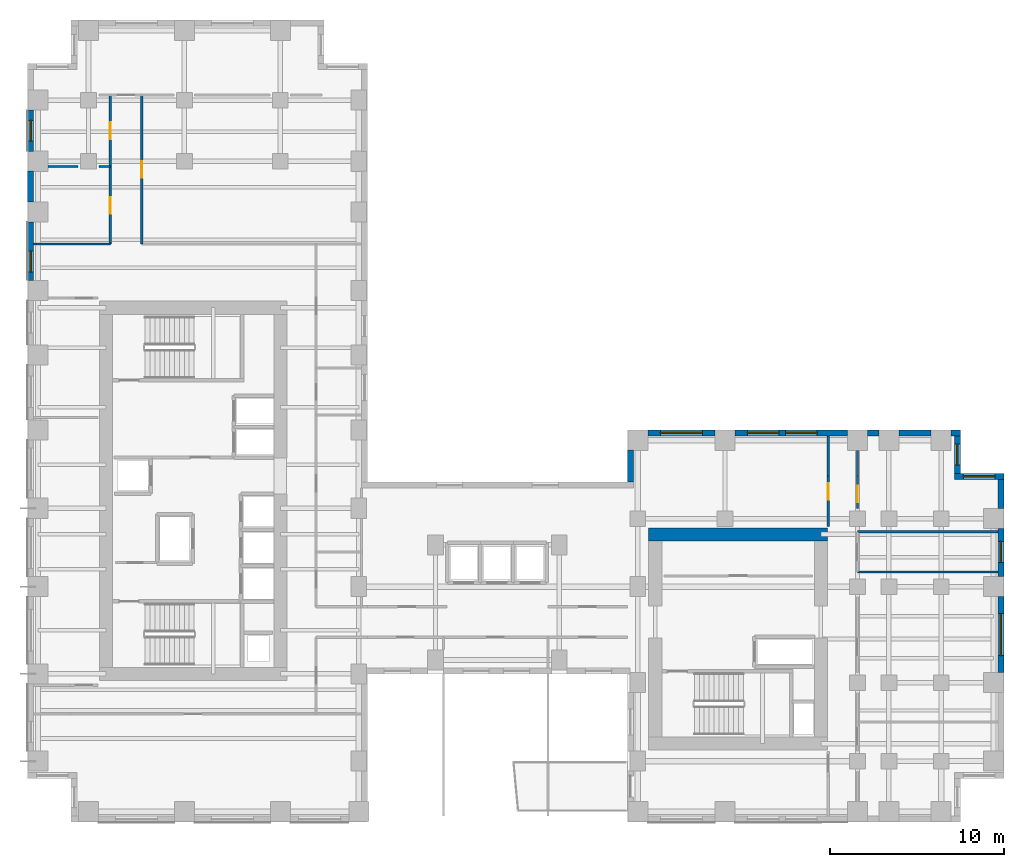
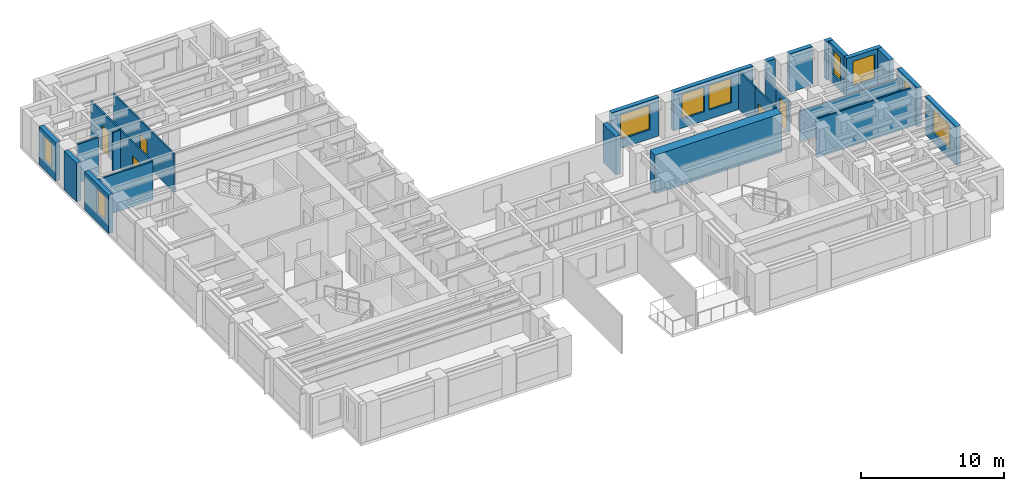
# One storey, part 8 of 12: 27 walls, 9 windows, 5 doors, 14 openings.
"""IFC4 building model written with IfcOpenShell, lengths in metres."""

import ifcopenshell
import ifcopenshell.guid

model = None  # the IFC model being written
_history = None  # IfcOwnerHistory: only IFC2X3 demands one
_inside = {}  # id of a spatial element -> (the spatial element, [elements in it])
_under = {}  # id of a project, library or spatial element -> (it, [spatial elements below it])
_declared = {}  # id of a project -> (the project, [libraries it declares])
_typed = {}  # id of a type object -> (the type object, [elements of that type])
_made_of = {}  # id of a material, layer set ... -> (it, [elements and type objects made of it])


def new_model(schema):
    """Start an empty IFC model of exactly this schema.

    Asked for "IFC4X3", IfcOpenShell would pick the latest addendum, in which some entities
    have other attributes; the version numbers below select the first issue.
    IFC2X3 requires an IfcOwnerHistory on every rooted entity: one is made here for all.
    """
    global model, _history
    if schema == "IFC4X3":
        model = ifcopenshell.file(schema_version=(4, 3, 0, 0))
    else:
        model = ifcopenshell.file(schema=schema)
    _inside.clear()
    _under.clear()
    _declared.clear()
    _typed.clear()
    _made_of.clear()
    _history = None
    if model.schema == "IFC2X3":
        org = make("IfcOrganization", Name="unknown")
        user = make(
            "IfcPersonAndOrganization",
            ThePerson=make("IfcPerson", FamilyName="unknown"),
            TheOrganization=org,
        )
        app = make(
            "IfcApplication",
            ApplicationDeveloper=org,
            Version="unknown",
            ApplicationFullName="unknown",
            ApplicationIdentifier="unknown",
        )
        _history = make(
            "IfcOwnerHistory",
            OwningUser=user,
            OwningApplication=app,
            ChangeAction="ADDED",
            CreationDate=0,
        )
    return model


def make(cls, **values):
    """One entity of the class cls with the attributes given. An attribute that is None is left unset."""
    return model.create_entity(
        cls, **{name: value for name, value in values.items() if value is not None}
    )


def rooted(cls, **values):
    """An entity with a GlobalId (a new one), such as an element, a storey or a relation."""
    return make(cls, GlobalId=ifcopenshell.guid.new(), OwnerHistory=_history, **values)


def si_unit(unit_type, name, prefix=None):
    """IfcSIUnit, for example si_unit("LENGTHUNIT", "METRE", prefix="MILLI")."""
    return make("IfcSIUnit", UnitType=unit_type, Prefix=prefix, Name=name)


def assignment(units):
    """IfcUnitAssignment: the units of a project."""
    return None if units is None else make("IfcUnitAssignment", Units=units)


def point(xyz):
    """IfcCartesianPoint."""
    return None if xyz is None else make("IfcCartesianPoint", Coordinates=xyz)


def direction(xyz):
    """IfcDirection."""
    return None if xyz is None else make("IfcDirection", DirectionRatios=xyz)


def frame(location, z_axis=None, x_axis=None):
    """IfcAxis2Placement3D, a coordinate frame: its origin and axes. An axis left out is left unset."""
    return make(
        "IfcAxis2Placement3D",
        Location=point(location),
        Axis=direction(z_axis),
        RefDirection=direction(x_axis),
    )


def frame_2d(location, x_axis=None):
    """IfcAxis2Placement2D, a coordinate frame in the plane: its origin and x axis."""
    return make(
        "IfcAxis2Placement2D", Location=point(location), RefDirection=direction(x_axis)
    )


def origin():
    """The frame at (0, 0, 0) with its axes left unset."""
    return frame((0.0, 0.0, 0.0))


def place(relative_to, where):
    """IfcLocalPlacement: puts the frame where relative to a parent placement (None: the world)."""
    return make(
        "IfcLocalPlacement", PlacementRelTo=relative_to, RelativePlacement=where
    )


def context(
    kind, dimensions, precision=None, world=None, true_north=None, identifier=None
):
    """IfcGeometricRepresentationContext, for example the 3D "Model" context."""
    return make(
        "IfcGeometricRepresentationContext",
        ContextIdentifier=identifier,
        ContextType=kind,
        CoordinateSpaceDimension=dimensions,
        Precision=precision,
        WorldCoordinateSystem=world,
        TrueNorth=true_north,
    )


def subcontext(parent, identifier, kind, view, scale=None):
    """IfcGeometricRepresentationSubContext, for example "Body" below "Model"."""
    return make(
        "IfcGeometricRepresentationSubContext",
        ContextIdentifier=identifier,
        ContextType=kind,
        ParentContext=parent,
        TargetScale=scale,
        TargetView=view,
    )


def project(units=None, contexts=None):
    """IfcProject with its units and contexts."""
    return rooted(
        "IfcProject",
        Name="project",
        RepresentationContexts=contexts,
        UnitsInContext=assignment(units),
    )


def spatial(cls, under=None, at=None, **own):
    """A site, building, storey or space (cls), placed at a placement, below another one or the project."""
    s = rooted(cls, ObjectPlacement=at, **own)
    if under is not None:
        _under.setdefault(under.id(), (under, []))[1].append(s)
    return s


def profile(cls, at=None, kind="AREA", **sizes):
    """A parametric profile (cls). Its sizes go by their IFC names, for example OverallWidth=200.0."""
    return make(cls, ProfileType=kind, Position=at, **sizes)


def rectangle(**sizes):
    """IfcRectangleProfileDef."""
    return profile("IfcRectangleProfileDef", **sizes)


def extrude(swept, where, along, depth):
    """IfcExtrudedAreaSolid: the profile swept, set in the frame where, extruded along a direction by depth."""
    return make(
        "IfcExtrudedAreaSolid",
        SweptArea=swept,
        Position=where,
        ExtrudedDirection=direction(along),
        Depth=depth,
    )


def shape(context_of_items, identifier, shape_type, items):
    """IfcShapeRepresentation: the items that make up one representation, for example the "Body"."""
    return make(
        "IfcShapeRepresentation",
        ContextOfItems=context_of_items,
        RepresentationIdentifier=identifier,
        RepresentationType=shape_type,
        Items=items,
    )


def source(mapping_origin, context_of_items, identifier, shape_type, items):
    """IfcRepresentationMap: a shape defined once, which mapped items show again and again."""
    return make(
        "IfcRepresentationMap",
        MappingOrigin=mapping_origin,
        MappedRepresentation=shape(context_of_items, identifier, shape_type, items),
    )


def transform(
    local_origin,
    x_axis=None,
    y_axis=None,
    z_axis=None,
    scale=None,
    scale2=None,
    scale3=None,
    uniform=True,
):
    """IfcCartesianTransformationOperator3D, or its non-uniform kind. x_axis, y_axis, z_axis: its Axis1, 2, 3."""
    if uniform:
        return make(
            "IfcCartesianTransformationOperator3D",
            Axis1=direction(x_axis),
            Axis2=direction(y_axis),
            LocalOrigin=point(local_origin),
            Scale=scale,
            Axis3=direction(z_axis),
        )
    return make(
        "IfcCartesianTransformationOperator3DnonUniform",
        Axis1=direction(x_axis),
        Axis2=direction(y_axis),
        LocalOrigin=point(local_origin),
        Scale=scale,
        Axis3=direction(z_axis),
        Scale2=scale2,
        Scale3=scale3,
    )


def mapped(mapping_source, mapping_target):
    """IfcMappedItem: shows the shape of a source again, moved by a transform."""
    return make(
        "IfcMappedItem", MappingSource=mapping_source, MappingTarget=mapping_target
    )


def material(Name=None, Category=None):
    """IfcMaterial."""
    return make("IfcMaterial", Name=Name, Category=Category)


def layer(
    of_material, thickness, ventilated=None, Name=None, Category=None, Priority=None
):
    """IfcMaterialLayer: one layer of a wall or slab, of a material (None: an air gap)."""
    return make(
        "IfcMaterialLayer",
        Material=of_material,
        LayerThickness=thickness,
        IsVentilated=ventilated,
        Name=Name,
        Category=Category,
        Priority=Priority,
    )


def layer_set(layers, Name=None):
    """IfcMaterialLayerSet."""
    return make("IfcMaterialLayerSet", MaterialLayers=layers, LayerSetName=Name)


def made_of(thing, what):
    """Note that an element or type object is made of a material, layer set ...; save() writes the relation."""
    if what is not None:
        _made_of.setdefault(what.id(), (what, []))[1].append(thing)
    return thing


def type_object(cls, material=None, **own):
    """A type object (cls), such as IfcWallType, which elements share."""
    return made_of(rooted(cls, **own), material)


def element(
    cls,
    number,
    at=None,
    inside=None,
    cuts=None,
    type_object=None,
    material=None,
    context=None,
    identifier="Body",
    shape_type=None,
    held_by="IfcProductDefinitionShape",
    body=None,
    shapes=None,
    **own,
):
    """One element of the class cls, such as IfcWall. Its Tag is "e" and its number.

    at: its placement. inside: the storey or other place that contains it. cuts: it is an
    opening in that element (IfcRelVoidsElement). A single representation is given by context,
    identifier, shape_type and body (its items); several are given by shapes. held_by: the class
    of the entity that holds the representations. save() writes the other relations.
    """
    e = rooted(cls, Tag="e%d" % number, ObjectPlacement=at, **own)
    if body is not None:
        shapes = [shape(context, identifier, shape_type, body)]
    if shapes is not None:
        e.Representation = make(held_by, Representations=shapes)
    if inside is not None:
        _inside.setdefault(inside.id(), (inside, []))[1].append(e)
    if cuts is not None:
        rooted(
            "IfcRelVoidsElement", RelatingBuildingElement=cuts, RelatedOpeningElement=e
        )
    if type_object is not None:
        _typed.setdefault(type_object.id(), (type_object, []))[1].append(e)
    return made_of(e, material)


def fill(opening, filler):
    """IfcRelFillsElement: the door or window that sits in an opening."""
    return rooted(
        "IfcRelFillsElement",
        RelatingOpeningElement=opening,
        RelatedBuildingElement=filler,
    )


def aggregate(whole, parts):
    """IfcRelAggregates: a whole, such as a stair, and the parts it consists of."""
    return rooted("IfcRelAggregates", RelatingObject=whole, RelatedObjects=parts)


def save(model, path):
    """Write the relations noted so far, then the file.

    IfcRelAggregates (storeys below a building ...), IfcRelContainedInSpatialStructure (elements
    in a storey), IfcRelDefinesByType, IfcRelAssociatesMaterial and IfcRelDeclares: one each for
    every whole, place, type object, material and project.
    """
    for whole, parts in _under.values():
        aggregate(whole, parts)
    for where, things in _inside.values():
        rooted(
            "IfcRelContainedInSpatialStructure",
            RelatedElements=things,
            RelatingStructure=where,
        )
    for kind, things in _typed.values():
        rooted("IfcRelDefinesByType", RelatedObjects=things, RelatingType=kind)
    for what, things in _made_of.values():
        rooted("IfcRelAssociatesMaterial", RelatedObjects=things, RelatingMaterial=what)
    for by, libraries in _declared.values():
        rooted("IfcRelDeclares", RelatingContext=by, RelatedDefinitions=libraries)
    model.write(path)


model = new_model("IFC4")

# Units and contexts
model_context = context("Model", 3, precision=1e-05, world=origin(), true_north=direction((0.0, 1.0)))
body_context = subcontext(model_context, "Body", "Model", "MODEL_VIEW")
ifc_project = project(units=[si_unit("LENGTHUNIT", "METRE"), si_unit("AREAUNIT", "SQUARE_METRE"), si_unit("VOLUMEUNIT", "CUBIC_METRE"), si_unit("PLANEANGLEUNIT", "RADIAN"), si_unit("MASSUNIT", "GRAM", prefix="KILO")], contexts=[model_context])

# Site, building, storey
site_placement = place(None, origin())
site = spatial("IfcSite", under=ifc_project, at=site_placement, CompositionType="ELEMENT")
building_placement = place(site_placement, origin())
building = spatial("IfcBuilding", under=site, at=building_placement, Name="Kharzan Plaza Tower", CompositionType="ELEMENT")
storey_placement = place(building_placement, frame((0.0, 0.0, 135.0)))
storey = spatial("IfcBuildingStorey", under=building, at=storey_placement, Name="L36", CompositionType="ELEMENT", Elevation=135.0)

# Wall, opening, window
ifc_material_1 = material(Name="Concrete C40/50", Category="concrete")
ifc_layer_1 = layer(ifc_material_1, 0.35009765625)
ifc_layer_set_1 = layer_set([ifc_layer_1], Name="Concrete C40/50")
wall_type_1 = type_object("IfcWallType", Name="WL-EXT-MAS-Z2", PredefinedType="SOLIDWALL", material=ifc_layer_set_1)
wall_1_placement = place(storey_placement, frame((0.175048828125, 40.826904296875, 0.0), z_axis=(0.0, 0.0, 1.0), x_axis=(0.0, -1.0, 0.0)))
wall_1 = element("IfcWall", 1, at=wall_1_placement, inside=storey, type_object=wall_type_1, Name="L36 Masonry-Frame Exterior Wall 17", PredefinedType="SOLIDWALL", context=body_context, shape_type="SweptSolid", body=[
    extrude(rectangle(XDim=2.35400390625, YDim=0.35009765625, at=frame_2d((1.177001953125, 0.0))), origin(), (0.0, 0.0, 1.0), 3.304931640625),
])
opening_1_placement = place(wall_1_placement, frame((0.576904296875, 0.0, 0.780029296875)))
opening_1 = element("IfcOpeningElement", 2, at=opening_1_placement, cuts=wall_1, Name="Opening W3", PredefinedType="OPENING", context=body_context, shape_type="SweptSolid", body=[
    extrude(rectangle(XDim=1.199951171875, YDim=2.10009765625, at=frame_2d((0.60009765625, 1.050048828125))), frame((0.0, 0.18505859375, 0.0), z_axis=(0.0, -1.0, 0.0), x_axis=(1.0, 0.0, 0.0)), (0.0, 0.0, 1.0), 0.3701171875),
])
ifc_material_2 = material(Name="Low-E Double Glazing", Category="glass")
window_type_1 = type_object("IfcWindowType", Name="WN-REC-1200x2100", PartitioningType="SINGLE_PANEL", PredefinedType="WINDOW", material=ifc_material_2)
shared_shape_1 = source(origin(), body_context, "Body", "SweptSolid", [
    extrude(rectangle(XDim=1.199951171875, YDim=2.10009765625, at=frame_2d((0.60009765625, 1.050048828125))), frame((0.0, 0.030029296875, 0.0), z_axis=(0.0, -1.0, 0.0), x_axis=(1.0, 0.0, 0.0)), (0.0, 0.0, 1.0), 0.06005859375),
])
window_1_placement = place(opening_1_placement, origin())
window_1 = element("IfcWindow", 3, at=window_1_placement, inside=storey, type_object=window_type_1, Name="L36 Recessed Solar-Control Window 17-1", OverallHeight=2.10009765625, OverallWidth=1.199951171875, PartitioningType="SINGLE_PANEL", PredefinedType="WINDOW", context=body_context, shape_type="MappedRepresentation", body=[
    mapped(shared_shape_1, transform((0.0, 0.0, 0.0), x_axis=(1.0, 0.0, 0.0), y_axis=(0.0, 1.0, 0.0), z_axis=(0.0, 0.0, 1.0))),
])
fill(opening_1, window_1)

wall_2_placement = place(storey_placement, frame((0.175048828125, 34.427001953125, 0.0), z_axis=(0.0, 0.0, 1.0), x_axis=(0.0, -1.0, 0.0)))
wall_2 = element("IfcWall", 4, at=wall_2_placement, inside=storey, type_object=wall_type_1, Name="L36 Masonry-Frame Exterior Wall 19", PredefinedType="SOLIDWALL", context=body_context, shape_type="SweptSolid", body=[
    extrude(rectangle(XDim=3.35400390625, YDim=0.35009765625, at=frame_2d((1.677001953125, 0.0))), origin(), (0.0, 0.0, 1.0), 3.304931640625),
])
opening_2_placement = place(wall_2_placement, frame((1.680419921875, 0.0, 0.780029296875)))
opening_2 = element("IfcOpeningElement", 5, at=opening_2_placement, cuts=wall_2, Name="Opening W3", PredefinedType="OPENING", context=body_context, shape_type="SweptSolid", body=[
    extrude(rectangle(XDim=1.199951171875, YDim=2.10009765625, at=frame_2d((0.60009765625, 1.050048828125))), frame((0.0, 0.18505859375, 0.0), z_axis=(0.0, -1.0, 0.0), x_axis=(1.0, 0.0, 0.0)), (0.0, 0.0, 1.0), 0.3701171875),
])
window_2_placement = place(opening_2_placement, origin())
window_2 = element("IfcWindow", 6, at=window_2_placement, inside=storey, type_object=window_type_1, Name="L36 Recessed Solar-Control Window 19-1", OverallHeight=2.10009765625, OverallWidth=1.199951171875, PartitioningType="SINGLE_PANEL", PredefinedType="WINDOW", context=body_context, shape_type="MappedRepresentation", body=[
    mapped(shared_shape_1, transform((0.0, 0.0, 0.0), x_axis=(1.0, 0.0, 0.0), y_axis=(0.0, 1.0, 0.0), z_axis=(0.0, 0.0, 1.0))),
])
fill(opening_2, window_2)

wall_3_placement = place(storey_placement, frame((55.824951171875, 8.572998046875, 0.0), z_axis=(0.0, 0.0, 1.0), x_axis=(0.0, 1.0, 0.0)))
wall_3 = element("IfcWall", 7, at=wall_3_placement, inside=storey, type_object=wall_type_1, Name="L36 Masonry-Frame Exterior Wall 47", PredefinedType="SOLIDWALL", context=body_context, shape_type="SweptSolid", body=[
    extrude(rectangle(XDim=4.35400390625, YDim=0.35009765625, at=frame_2d((2.177001953125, 0.0))), origin(), (0.0, 0.0, 1.0), 3.304931640625),
])
opening_3_placement = place(wall_3_placement, frame((0.97705078125, 0.0, 0.780029296875)))
opening_3 = element("IfcOpeningElement", 8, at=opening_3_placement, cuts=wall_3, Name="Opening W2", PredefinedType="OPENING", context=body_context, shape_type="SweptSolid", body=[
    extrude(rectangle(XDim=2.39990234375, YDim=2.10009765625, at=frame_2d((1.199951171875, 1.050048828125))), frame((0.0, 0.18505859375, 0.0), z_axis=(0.0, -1.0, 0.0), x_axis=(1.0, 0.0, 0.0)), (0.0, 0.0, 1.0), 0.3701171875),
])
window_type_2 = type_object("IfcWindowType", Name="WN-REC-2400x2100", PartitioningType="SINGLE_PANEL", PredefinedType="WINDOW", material=ifc_material_2)
shared_shape_2 = source(origin(), body_context, "Body", "SweptSolid", [
    extrude(rectangle(XDim=2.39990234375, YDim=2.10009765625, at=frame_2d((1.199951171875, 1.050048828125))), frame((0.0, 0.030029296875, 0.0), z_axis=(0.0, -1.0, 0.0), x_axis=(1.0, 0.0, 0.0)), (0.0, 0.0, 1.0), 0.06005859375),
])
window_3_placement = place(opening_3_placement, origin())
window_3 = element("IfcWindow", 9, at=window_3_placement, inside=storey, type_object=window_type_2, Name="L36 Wide Recessed Solar-Control Window 47-1", OverallHeight=2.10009765625, OverallWidth=2.39990234375, PartitioningType="SINGLE_PANEL", PredefinedType="WINDOW", context=body_context, shape_type="MappedRepresentation", body=[
    mapped(shared_shape_2, transform((0.0, 0.0, 0.0), x_axis=(1.0, 0.0, 0.0), y_axis=(0.0, 1.0, 0.0), z_axis=(0.0, 0.0, 1.0))),
])
fill(opening_3, window_3)

wall_4_placement = place(storey_placement, frame((55.824951171875, 14.072998046875, 0.0), z_axis=(0.0, 0.0, 1.0), x_axis=(0.0, 1.0, 0.0)))
wall_4 = element("IfcWall", 10, at=wall_4_placement, inside=storey, type_object=wall_type_1, Name="L36 Masonry-Frame Exterior Wall 48", PredefinedType="SOLIDWALL", context=body_context, shape_type="SweptSolid", body=[
    extrude(rectangle(XDim=2.75390625, YDim=0.35009765625, at=frame_2d((1.376953125, 0.0))), origin(), (0.0, 0.0, 1.0), 3.304931640625),
])
opening_4_placement = place(wall_4_placement, frame((0.826904296875, 0.0, 0.780029296875)))
opening_4 = element("IfcOpeningElement", 11, at=opening_4_placement, cuts=wall_4, Name="Opening W3", PredefinedType="OPENING", context=body_context, shape_type="SweptSolid", body=[
    extrude(rectangle(XDim=1.199951171875, YDim=2.10009765625, at=frame_2d((0.60009765625, 1.050048828125))), frame((0.0, 0.18505859375, 0.0), z_axis=(0.0, -1.0, 0.0), x_axis=(1.0, 0.0, 0.0)), (0.0, 0.0, 1.0), 0.3701171875),
])
window_4_placement = place(opening_4_placement, origin())
window_4 = element("IfcWindow", 12, at=window_4_placement, inside=storey, type_object=window_type_1, Name="L36 Recessed Solar-Control Window 48-1", OverallHeight=2.10009765625, OverallWidth=1.199951171875, PartitioningType="SINGLE_PANEL", PredefinedType="WINDOW", context=body_context, shape_type="MappedRepresentation", body=[
    mapped(shared_shape_1, transform((0.0, 0.0, 0.0), x_axis=(1.0, 0.0, 0.0), y_axis=(0.0, 1.0, 0.0), z_axis=(0.0, 0.0, 1.0))),
])
fill(opening_4, window_4)

wall_5_placement = place(storey_placement, frame((56.0, 19.824951171875, 0.0), z_axis=(0.0, 0.0, 1.0), x_axis=(-1.0, 0.0, 0.0)))
wall_5 = element("IfcWall", 13, at=wall_5_placement, inside=storey, type_object=wall_type_1, Name="L36 Masonry-Frame Exterior Wall 50", PredefinedType="SOLIDWALL", context=body_context, shape_type="SweptSolid", body=[
    extrude(rectangle(XDim=2.85009765625, YDim=0.35009765625, at=frame_2d((1.425048828125, 0.0))), origin(), (0.0, 0.0, 1.0), 3.304931640625),
])
opening_5_placement = place(wall_5_placement, frame((0.52490234375, 0.0, 0.780029296875)))
opening_5 = element("IfcOpeningElement", 14, at=opening_5_placement, cuts=wall_5, Name="Opening W1", PredefinedType="OPENING", context=body_context, shape_type="SweptSolid", body=[
    extrude(rectangle(XDim=1.800048828125, YDim=2.10009765625, at=frame_2d((0.89990234375, 1.050048828125))), frame((0.0, 0.18505859375, 0.0), z_axis=(0.0, -1.0, 0.0), x_axis=(1.0, 0.0, 0.0)), (0.0, 0.0, 1.0), 0.3701171875),
])
window_type_3 = type_object("IfcWindowType", Name="WN-REC-1800x2100", PartitioningType="SINGLE_PANEL", PredefinedType="WINDOW", material=ifc_material_2)
shared_shape_3 = source(origin(), body_context, "Body", "SweptSolid", [
    extrude(rectangle(XDim=1.800048828125, YDim=2.10009765625, at=frame_2d((0.89990234375, 1.050048828125))), frame((0.0, 0.030029296875, 0.0), z_axis=(0.0, -1.0, 0.0), x_axis=(1.0, 0.0, 0.0)), (0.0, 0.0, 1.0), 0.06005859375),
])
window_5_placement = place(opening_5_placement, origin())
window_5 = element("IfcWindow", 15, at=window_5_placement, inside=storey, type_object=window_type_3, Name="L36 Recessed Solar-Control Window 50-1", OverallHeight=2.10009765625, OverallWidth=1.800048828125, PartitioningType="SINGLE_PANEL", PredefinedType="WINDOW", context=body_context, shape_type="MappedRepresentation", body=[
    mapped(shared_shape_3, transform((0.0, 0.0, 0.0), x_axis=(1.0, 0.0, 0.0), y_axis=(0.0, 1.0, 0.0), z_axis=(0.0, 0.0, 1.0))),
])
fill(opening_5, window_5)

wall_6_placement = place(storey_placement, frame((53.324951171875, 19.998046875, 0.0), z_axis=(0.0, 0.0, 1.0), x_axis=(0.0, 1.0, 0.0)))
wall_6 = element("IfcWall", 16, at=wall_6_placement, inside=storey, type_object=wall_type_1, Name="L36 Masonry-Frame Exterior Wall 51", PredefinedType="SOLIDWALL", context=body_context, shape_type="SweptSolid", body=[
    extrude(rectangle(XDim=2.154052734375, YDim=0.35009765625, at=frame_2d((1.0771484375, 0.0))), origin(), (0.0, 0.0, 1.0), 3.304931640625),
])
opening_6_placement = place(wall_6_placement, frame((0.47705078125, 0.0, 0.780029296875)))
opening_6 = element("IfcOpeningElement", 17, at=opening_6_placement, cuts=wall_6, Name="Opening W3", PredefinedType="OPENING", context=body_context, shape_type="SweptSolid", body=[
    extrude(rectangle(XDim=1.199951171875, YDim=2.10009765625, at=frame_2d((0.60009765625, 1.050048828125))), frame((0.0, 0.18505859375, 0.0), z_axis=(0.0, -1.0, 0.0), x_axis=(1.0, 0.0, 0.0)), (0.0, 0.0, 1.0), 0.3701171875),
])
window_6_placement = place(opening_6_placement, origin())
window_6 = element("IfcWindow", 18, at=window_6_placement, inside=storey, type_object=window_type_1, Name="L36 Recessed Solar-Control Window 51-1", OverallHeight=2.10009765625, OverallWidth=1.199951171875, PartitioningType="SINGLE_PANEL", PredefinedType="WINDOW", context=body_context, shape_type="MappedRepresentation", body=[
    mapped(shared_shape_1, transform((0.0, 0.0, 0.0), x_axis=(1.0, 0.0, 0.0), y_axis=(0.0, 1.0, 0.0), z_axis=(0.0, 0.0, 1.0))),
])
fill(opening_6, window_6)

# Wall, openings, windows
wall_7_placement = place(storey_placement, frame((47.027099609375, 22.324951171875, 0.0), z_axis=(0.0, 0.0, 1.0), x_axis=(-1.0, 0.0, 0.0)))
wall_7 = element("IfcWall", 19, at=wall_7_placement, inside=storey, type_object=wall_type_1, Name="L36 Masonry-Frame Exterior Wall 55", PredefinedType="SOLIDWALL", context=body_context, shape_type="SweptSolid", body=[
    extrude(rectangle(XDim=6.4541015625, YDim=0.35009765625, at=frame_2d((3.22705078125, 0.0))), origin(), (0.0, 0.0, 1.0), 3.304931640625),
])
opening_7_placement = place(wall_7_placement, frame((1.749267578125, 0.0, 0.780029296875)))
opening_7 = element("IfcOpeningElement", 20, at=opening_7_placement, cuts=wall_7, Name="Opening W1", PredefinedType="OPENING", context=body_context, shape_type="SweptSolid", body=[
    extrude(rectangle(XDim=1.800048828125, YDim=2.10009765625, at=frame_2d((0.89990234375, 1.050048828125))), frame((0.0, 0.18505859375, 0.0), z_axis=(0.0, -1.0, 0.0), x_axis=(1.0, 0.0, 0.0)), (0.0, 0.0, 1.0), 0.3701171875),
])
opening_8_placement = place(wall_7_placement, frame((3.941650390625, 0.0, 0.780029296875)))
opening_8 = element("IfcOpeningElement", 21, at=opening_8_placement, cuts=wall_7, Name="Opening W1", PredefinedType="OPENING", context=body_context, shape_type="SweptSolid", body=[
    extrude(rectangle(XDim=1.800048828125, YDim=2.10009765625, at=frame_2d((0.89990234375, 1.050048828125))), frame((0.0, 0.18505859375, 0.0), z_axis=(0.0, -1.0, 0.0), x_axis=(1.0, 0.0, 0.0)), (0.0, 0.0, 1.0), 0.3701171875),
])
window_7_placement = place(opening_7_placement, origin())
window_7 = element("IfcWindow", 22, at=window_7_placement, inside=storey, type_object=window_type_3, Name="L36 Recessed Solar-Control Window 55-1", OverallHeight=2.10009765625, OverallWidth=1.800048828125, PartitioningType="SINGLE_PANEL", PredefinedType="WINDOW", context=body_context, shape_type="MappedRepresentation", body=[
    mapped(shared_shape_3, transform((0.0, 0.0, 0.0), x_axis=(1.0, 0.0, 0.0), y_axis=(0.0, 1.0, 0.0), z_axis=(0.0, 0.0, 1.0))),
])
fill(opening_7, window_7)
window_8_placement = place(opening_8_placement, origin())
window_8 = element("IfcWindow", 23, at=window_8_placement, inside=storey, type_object=window_type_3, Name="L36 Recessed Solar-Control Window 55-2", OverallHeight=2.10009765625, OverallWidth=1.800048828125, PartitioningType="SINGLE_PANEL", PredefinedType="WINDOW", context=body_context, shape_type="MappedRepresentation", body=[
    mapped(shared_shape_3, transform((0.0, 0.0, 0.0), x_axis=(1.0, 0.0, 0.0), y_axis=(0.0, 1.0, 0.0), z_axis=(0.0, 0.0, 1.0))),
])
fill(opening_8, window_8)

# Wall, opening, window
wall_8_placement = place(storey_placement, frame((39.427001953125, 22.324951171875, 0.0), z_axis=(0.0, 0.0, 1.0), x_axis=(-1.0, 0.0, 0.0)))
wall_8 = element("IfcWall", 24, at=wall_8_placement, inside=storey, type_object=wall_type_1, Name="L36 Masonry-Frame Exterior Wall 56", PredefinedType="SOLIDWALL", context=body_context, shape_type="SweptSolid", body=[
    extrude(rectangle(XDim=3.85400390625, YDim=0.35009765625, at=frame_2d((1.927001953125, 0.0))), origin(), (0.0, 0.0, 1.0), 3.304931640625),
])
opening_9_placement = place(wall_8_placement, frame((0.72705078125, 0.0, 0.780029296875)))
opening_9 = element("IfcOpeningElement", 25, at=opening_9_placement, cuts=wall_8, Name="Opening W2", PredefinedType="OPENING", context=body_context, shape_type="SweptSolid", body=[
    extrude(rectangle(XDim=2.39990234375, YDim=2.10009765625, at=frame_2d((1.199951171875, 1.050048828125))), frame((0.0, 0.18505859375, 0.0), z_axis=(0.0, -1.0, 0.0), x_axis=(1.0, 0.0, 0.0)), (0.0, 0.0, 1.0), 0.3701171875),
])
window_9_placement = place(opening_9_placement, origin())
window_9 = element("IfcWindow", 26, at=window_9_placement, inside=storey, type_object=window_type_2, Name="L36 Wide Recessed Solar-Control Window 56-1", OverallHeight=2.10009765625, OverallWidth=2.39990234375, PartitioningType="SINGLE_PANEL", PredefinedType="WINDOW", context=body_context, shape_type="MappedRepresentation", body=[
    mapped(shared_shape_2, transform((0.0, 0.0, 0.0), x_axis=(1.0, 0.0, 0.0), y_axis=(0.0, 1.0, 0.0), z_axis=(0.0, 0.0, 1.0))),
])
fill(opening_9, window_9)

# Wall, opening, door
ifc_material_3 = material(Name="Fire-Rated Gypsum Board Partition", Category="gypsum")
ifc_layer_2 = layer(ifc_material_3, 0.125)
ifc_layer_set_2 = layer_set([ifc_layer_2], Name="Fire-Rated Gypsum Board Partition")
wall_type_2 = type_object("IfcWallType", Name="WL-INT-PART-125", PredefinedType="PARTITIONING", material=ifc_layer_set_2)
wall_9_placement = place(storey_placement, frame((47.60009765625, 17.989990234375, 0.0), z_axis=(0.0, 0.0, 1.0), x_axis=(0.0, 1.0, 0.0)))
wall_9 = element("IfcWall", 27, at=wall_9_placement, inside=storey, type_object=wall_type_2, Name="L36 Interior Partition SH-B3W2", PredefinedType="PARTITIONING", context=body_context, shape_type="SweptSolid", body=[
    extrude(rectangle(XDim=1.860107421875, YDim=0.125, at=frame_2d((0.93017578125, 0.0))), origin(), (0.0, 0.0, 1.0), 2.616943359375),
])
opening_10_placement = place(wall_9_placement, frame((0.36328125, 0.0, 0.0)))
opening_10 = element("IfcOpeningElement", 28, at=opening_10_placement, cuts=wall_9, Name="Opening OD1", PredefinedType="OPENING", context=body_context, shape_type="SweptSolid", body=[
    extrude(rectangle(XDim=0.949951171875, YDim=2.14990234375, at=frame_2d((0.47509765625, 1.074951171875))), frame((0.0, 0.072509765625, 0.0), z_axis=(0.0, -1.0, 0.0), x_axis=(1.0, 0.0, 0.0)), (0.0, 0.0, 1.0), 0.14501953125),
])
ifc_material_4 = material(Name="Acoustic Solid-Core Stained Oak", Category="timber")
door_type = type_object("IfcDoorType", Name="DR-OFF-SINGLE", OperationType="NOTDEFINED", PredefinedType="DOOR", material=ifc_material_4)
shared_shape_4 = source(origin(), body_context, "Body", "SweptSolid", [
    extrude(rectangle(XDim=0.949951171875, YDim=2.14990234375, at=frame_2d((0.47509765625, 1.074951171875))), frame((0.0, 0.02490234375, 0.0), z_axis=(0.0, -1.0, 0.0), x_axis=(1.0, 0.0, 0.0)), (0.0, 0.0, 1.0), 0.050048828125),
])
door_1_placement = place(opening_10_placement, origin())
door_1 = element("IfcDoor", 29, at=door_1_placement, inside=storey, type_object=door_type, Name="L36 Wing B Office 3 Door", OperationType="SINGLE_SWING_RIGHT", OverallHeight=2.14990234375, OverallWidth=0.949951171875, PredefinedType="DOOR", context=body_context, shape_type="MappedRepresentation", body=[
    mapped(shared_shape_4, transform((0.0, 0.0, 0.0), x_axis=(1.0, 0.0, 0.0), y_axis=(0.0, 1.0, 0.0), z_axis=(0.0, 0.0, 1.0))),
])
fill(opening_10, door_1)

wall_10_placement = place(storey_placement, frame((45.919921875, 16.949951171875, 0.0), z_axis=(0.0, 0.0, 1.0), x_axis=(0.0, 1.0, 0.0)))
wall_10 = element("IfcWall", 30, at=wall_10_placement, inside=storey, type_object=wall_type_2, Name="L36 Interior Partition SH-RBNE", PredefinedType="PARTITIONING", context=body_context, shape_type="SweptSolid", body=[
    extrude(rectangle(XDim=2.900146484375, YDim=0.125, at=frame_2d((1.4501953125, 0.0))), origin(), (0.0, 0.0, 1.0), 3.304931640625),
])
opening_11_placement = place(wall_10_placement, frame((1.54296875, 0.0, 0.0)))
opening_11 = element("IfcOpeningElement", 31, at=opening_11_placement, cuts=wall_10, Name="Opening OD1", PredefinedType="OPENING", context=body_context, shape_type="SweptSolid", body=[
    extrude(rectangle(XDim=0.949951171875, YDim=2.14990234375, at=frame_2d((0.47509765625, 1.074951171875))), frame((0.0, 0.072509765625, 0.0), z_axis=(0.0, -1.0, 0.0), x_axis=(1.0, 0.0, 0.0)), (0.0, 0.0, 1.0), 0.14501953125),
])
door_2_placement = place(opening_11_placement, origin())
door_2 = element("IfcDoor", 32, at=door_2_placement, inside=storey, type_object=door_type, Name="L36 Wing B North Studio Door", OperationType="SINGLE_SWING_LEFT", OverallHeight=2.14990234375, OverallWidth=0.949951171875, PredefinedType="DOOR", context=body_context, shape_type="MappedRepresentation", body=[
    mapped(shared_shape_4, transform((0.0, 0.0, 0.0), x_axis=(1.0, 0.0, 0.0), y_axis=(0.0, 1.0, 0.0), z_axis=(0.0, 0.0, 1.0))),
])
fill(opening_11, door_2)

wall_11_placement = place(storey_placement, frame((6.550048828125, 33.14990234375, 0.0), z_axis=(0.0, 0.0, 1.0), x_axis=(0.0, 1.0, 0.0)))
wall_11 = element("IfcWall", 33, at=wall_11_placement, inside=storey, type_object=wall_type_2, Name="L36 Interior Partition SH-SPE-1", PredefinedType="PARTITIONING", context=body_context, shape_type="SweptSolid", body=[
    extrude(rectangle(XDim=8.550048828125, YDim=0.125, at=frame_2d((4.27490234375, 0.0))), origin(), (0.0, 0.0, 1.0), 3.304931640625),
])
opening_12_placement = place(wall_11_placement, frame((3.800048828125, 0.0, 0.0)))
opening_12 = element("IfcOpeningElement", 34, at=opening_12_placement, cuts=wall_11, Name="Opening OD1", PredefinedType="OPENING", context=body_context, shape_type="SweptSolid", body=[
    extrude(rectangle(XDim=0.949951171875, YDim=2.14990234375, at=frame_2d((0.47509765625, 1.074951171875))), frame((0.0, 0.072509765625, 0.0), z_axis=(0.0, -1.0, 0.0), x_axis=(1.0, 0.0, 0.0)), (0.0, 0.0, 1.0), 0.14501953125),
])
door_3_placement = place(opening_12_placement, origin())
door_3 = element("IfcDoor", 35, at=door_3_placement, inside=storey, type_object=door_type, Name="L36 Cartography Drafting Studio Door", OperationType="SINGLE_SWING_RIGHT", OverallHeight=2.14990234375, OverallWidth=0.949951171875, PredefinedType="DOOR", context=body_context, shape_type="MappedRepresentation", body=[
    mapped(shared_shape_4, transform((0.0, 0.0, 0.0), x_axis=(1.0, 0.0, 0.0), y_axis=(0.0, 1.0, 0.0), z_axis=(0.0, 0.0, 1.0))),
])
fill(opening_12, door_3)

wall_12_placement = place(storey_placement, frame((4.75, 33.14990234375, 0.0), z_axis=(0.0, 0.0, 1.0), x_axis=(0.0, 1.0, 0.0)))
wall_12 = element("IfcWall", 36, at=wall_12_placement, inside=storey, type_object=wall_type_2, Name="L36 Interior Partition SH-SPW-1", PredefinedType="PARTITIONING", context=body_context, shape_type="SweptSolid", body=[
    extrude(rectangle(XDim=4.446044921875, YDim=0.125, at=frame_2d((2.22314453125, 0.0))), origin(), (0.0, 0.0, 1.0), 3.304931640625),
])
opening_13_placement = place(wall_12_placement, frame((1.748046875, 0.0, 0.0)))
opening_13 = element("IfcOpeningElement", 37, at=opening_13_placement, cuts=wall_12, Name="Opening OD1", PredefinedType="OPENING", context=body_context, shape_type="SweptSolid", body=[
    extrude(rectangle(XDim=0.949951171875, YDim=2.14990234375, at=frame_2d((0.47509765625, 1.074951171875))), frame((0.0, 0.072509765625, 0.0), z_axis=(0.0, -1.0, 0.0), x_axis=(1.0, 0.0, 0.0)), (0.0, 0.0, 1.0), 0.14501953125),
])
door_4_placement = place(opening_13_placement, origin())
door_4 = element("IfcDoor", 38, at=door_4_placement, inside=storey, type_object=door_type, Name="L36 Architectural Design Studio Door", OperationType="SINGLE_SWING_RIGHT", OverallHeight=2.14990234375, OverallWidth=0.949951171875, PredefinedType="DOOR", context=body_context, shape_type="MappedRepresentation", body=[
    mapped(shared_shape_4, transform((0.0, 0.0, 0.0), x_axis=(1.0, 0.0, 0.0), y_axis=(0.0, 1.0, 0.0), z_axis=(0.0, 0.0, 1.0))),
])
fill(opening_13, door_4)

wall_13_placement = place(storey_placement, frame((4.75, 37.595947265625, 0.0), z_axis=(0.0, 0.0, 1.0), x_axis=(0.0, 1.0, 0.0)))
wall_13 = element("IfcWall", 39, at=wall_13_placement, inside=storey, type_object=wall_type_2, Name="L36 Interior Partition SH-SPW-2", PredefinedType="PARTITIONING", context=body_context, shape_type="SweptSolid", body=[
    extrude(rectangle(XDim=4.10400390625, YDim=0.125, at=frame_2d((2.052001953125, 0.0))), origin(), (0.0, 0.0, 1.0), 3.304931640625),
])
opening_14_placement = place(wall_13_placement, frame((1.576904296875, 0.0, 0.0)))
opening_14 = element("IfcOpeningElement", 40, at=opening_14_placement, cuts=wall_13, Name="Opening OD1", PredefinedType="OPENING", context=body_context, shape_type="SweptSolid", body=[
    extrude(rectangle(XDim=0.949951171875, YDim=2.14990234375, at=frame_2d((0.47509765625, 1.074951171875))), frame((0.0, 0.072509765625, 0.0), z_axis=(0.0, -1.0, 0.0), x_axis=(1.0, 0.0, 0.0)), (0.0, 0.0, 1.0), 0.14501953125),
])
door_5_placement = place(opening_14_placement, origin())
door_5 = element("IfcDoor", 41, at=door_5_placement, inside=storey, type_object=door_type, Name="L36 Architectural Design Studio Door", OperationType="SINGLE_SWING_LEFT", OverallHeight=2.14990234375, OverallWidth=0.949951171875, PredefinedType="DOOR", context=body_context, shape_type="MappedRepresentation", body=[
    mapped(shared_shape_4, transform((0.0, 0.0, 0.0), x_axis=(1.0, 0.0, 0.0), y_axis=(0.0, 1.0, 0.0), z_axis=(0.0, 0.0, 1.0))),
])
fill(opening_14, door_5)

# Walls
shared_shape_5 = source(origin(), body_context, "Body", "SweptSolid", [
    extrude(rectangle(XDim=2.2978515625, YDim=0.125, at=frame_2d((1.14892578125, 0.0))), origin(), (0.0, 0.0, 1.0), 3.304931640625),
])
wall_14_placement = place(storey_placement, frame((45.919921875, 19.85009765625, 0.0), z_axis=(0.0, 0.0, 1.0), x_axis=(0.0, 1.0, 0.0)))
element("IfcWall", 42, at=wall_14_placement, inside=storey, type_object=wall_type_2, Name="L36 Interior Partition SH-RBNE0", PredefinedType="PARTITIONING", context=body_context, shape_type="MappedRepresentation", body=[
    mapped(shared_shape_5, transform((0.0, 0.0, 0.0), x_axis=(1.0, 0.0, 0.0), y_axis=(0.0, 1.0, 0.0), z_axis=(0.0, 0.0, 1.0))),
])
ifc_material_5 = material(Name="Concrete C60/75", Category="concrete")
ifc_layer_3 = layer(ifc_material_5, 0.75)
ifc_layer_set_3 = layer_set([ifc_layer_3], Name="Concrete C60/75")
wall_type_3 = type_object("IfcWallType", Name="WL-CORE-750", PredefinedType="SHEAR", material=ifc_layer_set_3)
shared_shape_6 = source(origin(), body_context, "Body", "SweptSolid", [
    extrude(rectangle(XDim=10.25, YDim=0.75, at=frame_2d((5.125, 0.0))), origin(), (0.0, 0.0, 1.0), 3.320068359375),
])
wall_15_placement = place(storey_placement, frame((35.625, 16.5, 0.0), z_axis=(0.0, 0.0, 1.0), x_axis=(1.0, 0.0, 0.0)))
element("IfcWall", 43, at=wall_15_placement, inside=storey, type_object=wall_type_3, Name="L36 CORE-B north RC shear wall", PredefinedType="SHEAR", context=body_context, shape_type="MappedRepresentation", body=[
    mapped(shared_shape_6, transform((0.0, 0.0, 0.0), x_axis=(1.0, 0.0, 0.0), y_axis=(0.0, 1.0, 0.0), z_axis=(0.0, 0.0, 1.0))),
])
shared_shape_7 = source(origin(), body_context, "Body", "SweptSolid", [
    extrude(rectangle(XDim=1.75390625, YDim=0.35009765625, at=frame_2d((0.876953125, 0.0))), origin(), (0.0, 0.0, 1.0), 3.304931640625),
])
wall_16_placement = place(storey_placement, frame((0.175048828125, 37.326904296875, 0.0), z_axis=(0.0, 0.0, 1.0), x_axis=(0.0, -1.0, 0.0)))
element("IfcWall", 44, at=wall_16_placement, inside=storey, type_object=wall_type_1, Name="L36 Masonry-Frame Exterior Wall 18", PredefinedType="SOLIDWALL", context=body_context, shape_type="MappedRepresentation", body=[
    mapped(shared_shape_7, transform((0.0, 0.0, 0.0), x_axis=(1.0, 0.0, 0.0), y_axis=(0.0, 1.0, 0.0), z_axis=(0.0, 0.0, 1.0))),
])
shared_shape_8 = source(origin(), body_context, "Body", "SweptSolid", [
    extrude(rectangle(XDim=0.65380859375, YDim=0.35009765625, at=frame_2d((0.326904296875, 0.0))), origin(), (0.0, 0.0, 1.0), 3.304931640625),
])
wall_17_placement = place(storey_placement, frame((48.826904296875, 22.324951171875, 0.0), z_axis=(0.0, 0.0, 1.0), x_axis=(-1.0, 0.0, 0.0)))
element("IfcWall", 45, at=wall_17_placement, inside=storey, type_object=wall_type_1, Name="L36 Masonry-Frame Exterior Wall 54", PredefinedType="SOLIDWALL", context=body_context, shape_type="MappedRepresentation", body=[
    mapped(shared_shape_8, transform((0.0, 0.0, 0.0), x_axis=(1.0, 0.0, 0.0), y_axis=(0.0, 1.0, 0.0), z_axis=(0.0, 0.0, 1.0))),
])
shared_shape_9 = source(origin(), body_context, "Body", "SweptSolid", [
    extrude(rectangle(XDim=1.85400390625, YDim=0.35009765625, at=frame_2d((0.927001953125, 0.0))), origin(), (0.0, 0.0, 1.0), 3.304931640625),
])
wall_18_placement = place(storey_placement, frame((51.826904296875, 22.324951171875, 0.0), z_axis=(0.0, 0.0, 1.0), x_axis=(-1.0, 0.0, 0.0)))
element("IfcWall", 46, at=wall_18_placement, inside=storey, type_object=wall_type_1, Name="L36 Masonry-Frame Exterior Wall 53", PredefinedType="SOLIDWALL", context=body_context, shape_type="MappedRepresentation", body=[
    mapped(shared_shape_9, transform((0.0, 0.0, 0.0), x_axis=(1.0, 0.0, 0.0), y_axis=(0.0, 1.0, 0.0), z_axis=(0.0, 0.0, 1.0))),
])
shared_shape_10 = source(origin(), body_context, "Body", "SweptSolid", [
    extrude(rectangle(XDim=0.527099609375, YDim=0.35009765625, at=frame_2d((0.263671875, 0.0))), origin(), (0.0, 0.0, 1.0), 3.304931640625),
])
wall_19_placement = place(storey_placement, frame((53.5, 22.324951171875, 0.0), z_axis=(0.0, 0.0, 1.0), x_axis=(-1.0, 0.0, 0.0)))
element("IfcWall", 47, at=wall_19_placement, inside=storey, type_object=wall_type_1, Name="L36 Masonry-Frame Exterior Wall 52", PredefinedType="SOLIDWALL", context=body_context, shape_type="MappedRepresentation", body=[
    mapped(shared_shape_10, transform((0.0, 0.0, 0.0), x_axis=(1.0, 0.0, 0.0), y_axis=(0.0, 1.0, 0.0), z_axis=(0.0, 0.0, 1.0))),
])
shared_shape_11 = source(origin(), body_context, "Body", "SweptSolid", [
    extrude(rectangle(XDim=1.67919921875, YDim=0.35009765625, at=frame_2d((0.839599609375, 0.0))), origin(), (0.0, 0.0, 1.0), 3.304931640625),
])
wall_20_placement = place(storey_placement, frame((55.824951171875, 17.972900390625, 0.0), z_axis=(0.0, 0.0, 1.0), x_axis=(0.0, 1.0, 0.0)))
element("IfcWall", 48, at=wall_20_placement, inside=storey, type_object=wall_type_1, Name="L36 Masonry-Frame Exterior Wall 49", PredefinedType="SOLIDWALL", context=body_context, shape_type="MappedRepresentation", body=[
    mapped(shared_shape_11, transform((0.0, 0.0, 0.0), x_axis=(1.0, 0.0, 0.0), y_axis=(0.0, 1.0, 0.0), z_axis=(0.0, 0.0, 1.0))),
])
shared_shape_12 = source(origin(), body_context, "Body", "SweptSolid", [
    extrude(rectangle(XDim=1.828857421875, YDim=0.35009765625, at=frame_2d((0.91455078125, 0.0))), origin(), (0.0, 0.0, 1.0), 3.304931640625),
])
wall_21_placement = place(storey_placement, frame((34.574951171875, 21.326904296875, 0.0), z_axis=(0.0, 0.0, 1.0), x_axis=(0.0, -1.0, 0.0)))
element("IfcWall", 49, at=wall_21_placement, inside=storey, type_object=wall_type_1, Name="L36 Masonry-Frame Exterior Wall 57", PredefinedType="SOLIDWALL", context=body_context, shape_type="MappedRepresentation", body=[
    mapped(shared_shape_12, transform((0.0, 0.0, 0.0), x_axis=(1.0, 0.0, 0.0), y_axis=(0.0, 1.0, 0.0), z_axis=(0.0, 0.0, 1.0))),
])
shared_shape_13 = source(origin(), body_context, "Body", "SweptSolid", [
    extrude(rectangle(XDim=8.0478515625, YDim=0.125, at=frame_2d((4.02392578125, 0.0))), origin(), (0.0, 0.0, 1.0), 3.304931640625),
])
wall_22_placement = place(storey_placement, frame((47.60009765625, 14.35009765625, 0.0), z_axis=(0.0, 0.0, 1.0), x_axis=(1.0, 0.0, 0.0)))
element("IfcWall", 50, at=wall_22_placement, inside=storey, type_object=wall_type_2, Name="L36 Interior Partition SH-B3H-143", PredefinedType="PARTITIONING", context=body_context, shape_type="MappedRepresentation", body=[
    mapped(shared_shape_13, transform((0.0, 0.0, 0.0), x_axis=(1.0, 0.0, 0.0), y_axis=(0.0, 1.0, 0.0), z_axis=(0.0, 0.0, 1.0))),
])
shared_shape_14 = source(origin(), body_context, "Body", "SweptSolid", [
    extrude(rectangle(XDim=8.0478515625, YDim=0.125, at=frame_2d((4.02392578125, 0.0))), origin(), (0.0, 0.0, 1.0), 2.616943359375),
])
wall_23_placement = place(storey_placement, frame((47.60009765625, 16.64990234375, 0.0), z_axis=(0.0, 0.0, 1.0), x_axis=(1.0, 0.0, 0.0)))
element("IfcWall", 51, at=wall_23_placement, inside=storey, type_object=wall_type_2, Name="L36 Interior Partition SH-B3H-166", PredefinedType="PARTITIONING", context=body_context, shape_type="MappedRepresentation", body=[
    mapped(shared_shape_14, transform((0.0, 0.0, 0.0), x_axis=(1.0, 0.0, 0.0), y_axis=(0.0, 1.0, 0.0), z_axis=(0.0, 0.0, 1.0))),
])
shared_shape_15 = source(origin(), body_context, "Body", "SweptSolid", [
    extrude(rectangle(XDim=1.4599609375, YDim=0.125, at=frame_2d((0.72998046875, 0.0))), origin(), (0.0, 0.0, 1.0), 2.616943359375),
])
wall_24_placement = place(storey_placement, frame((47.60009765625, 19.85009765625, 0.0), z_axis=(0.0, 0.0, 1.0), x_axis=(0.0, 1.0, 0.0)))
element("IfcWall", 52, at=wall_24_placement, inside=storey, type_object=wall_type_2, Name="L36 Interior Partition SH-B3W2N", PredefinedType="PARTITIONING", context=body_context, shape_type="MappedRepresentation", body=[
    mapped(shared_shape_15, transform((0.0, 0.0, 0.0), x_axis=(1.0, 0.0, 0.0), y_axis=(0.0, 1.0, 0.0), z_axis=(0.0, 0.0, 1.0))),
])
shared_shape_16 = source(origin(), body_context, "Body", "SweptSolid", [
    extrude(rectangle(XDim=4.39794921875, YDim=0.125, at=frame_2d((2.198974609375, 0.0))), origin(), (0.0, 0.0, 1.0), 3.304931640625),
])
wall_25_placement = place(storey_placement, frame((0.35205078125, 33.14990234375, 0.0), z_axis=(0.0, 0.0, 1.0), x_axis=(1.0, 0.0, 0.0)))
element("IfcWall", 53, at=wall_25_placement, inside=storey, type_object=wall_type_2, Name="L36 Interior Partition SH-NNW", PredefinedType="PARTITIONING", context=body_context, shape_type="MappedRepresentation", body=[
    mapped(shared_shape_16, transform((0.0, 0.0, 0.0), x_axis=(1.0, 0.0, 0.0), y_axis=(0.0, 1.0, 0.0), z_axis=(0.0, 0.0, 1.0))),
])
shared_shape_17 = source(origin(), body_context, "Body", "SweptSolid", [
    extrude(rectangle(XDim=1.719970703125, YDim=0.125, at=frame_2d((0.85986328125, 0.0))), origin(), (0.0, 0.0, 1.0), 3.304931640625),
])
wall_26_placement = place(storey_placement, frame((1.18994140625, 37.595947265625, 0.0), z_axis=(0.0, 0.0, 1.0), x_axis=(1.0, 0.0, 0.0)))
element("IfcWall", 54, at=wall_26_placement, inside=storey, type_object=wall_type_2, Name="L36 Interior Partition SH-NWH-1-S1", PredefinedType="PARTITIONING", context=body_context, shape_type="MappedRepresentation", body=[
    mapped(shared_shape_17, transform((0.0, 0.0, 0.0), x_axis=(1.0, 0.0, 0.0), y_axis=(0.0, 1.0, 0.0), z_axis=(0.0, 0.0, 1.0))),
])
shared_shape_18 = source(origin(), body_context, "Body", "SweptSolid", [
    extrude(rectangle(XDim=0.659912109375, YDim=0.125, at=frame_2d((0.330078125, 0.0))), origin(), (0.0, 0.0, 1.0), 3.304931640625),
])
wall_27_placement = place(storey_placement, frame((4.090087890625, 37.595947265625, 0.0), z_axis=(0.0, 0.0, 1.0), x_axis=(1.0, 0.0, 0.0)))
element("IfcWall", 55, at=wall_27_placement, inside=storey, type_object=wall_type_2, Name="L36 Interior Partition SH-NWH-1-S2", PredefinedType="PARTITIONING", context=body_context, shape_type="MappedRepresentation", body=[
    mapped(shared_shape_18, transform((0.0, 0.0, 0.0), x_axis=(1.0, 0.0, 0.0), y_axis=(0.0, 1.0, 0.0), z_axis=(0.0, 0.0, 1.0))),
])

save(model, "model.ifc")
